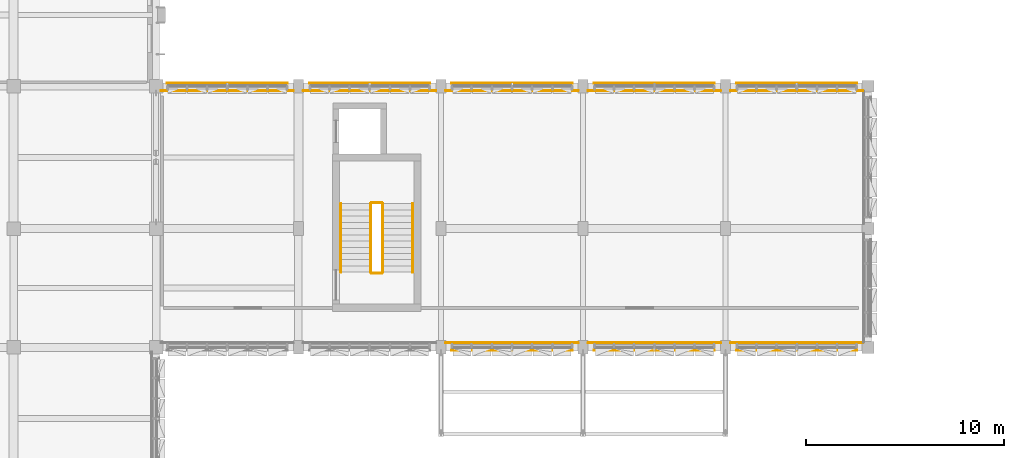
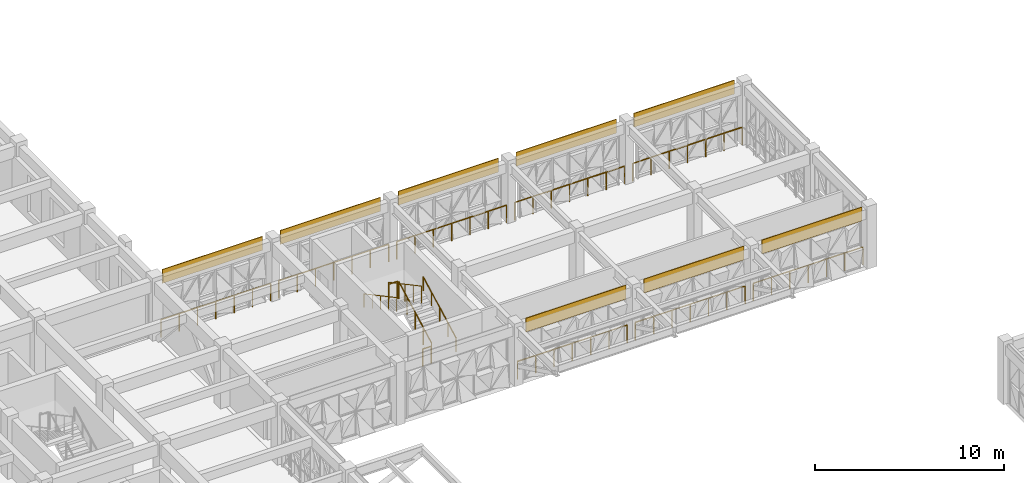
# One storey, part 73 of 88: 14 railings, 8 coverings.
"""IFC4 building model written with IfcOpenShell, lengths in metres."""

from ifc_helpers import new_model, si_unit, direction, frame, origin, origin_2d, place, context, subcontext, project, spatial, polyline, circle, outline, extrude, material, layer, layer_set, type_object, element, save


model = new_model("IFC4")

# Units and contexts
model_context = context("Model", 3, precision=1e-05, world=origin(), true_north=direction((0.0, 1.0)))
body_context = subcontext(model_context, "Body", "Model", "MODEL_VIEW")
ifc_project = project(units=[si_unit("LENGTHUNIT", "METRE"), si_unit("AREAUNIT", "SQUARE_METRE"), si_unit("VOLUMEUNIT", "CUBIC_METRE"), si_unit("PLANEANGLEUNIT", "RADIAN"), si_unit("MASSUNIT", "GRAM", prefix="KILO")], contexts=[model_context])

# Site, building, storey
site_placement = place(None, origin())
site = spatial("IfcSite", under=ifc_project, at=site_placement, CompositionType="ELEMENT")
building_placement = place(site_placement, origin())
building = spatial("IfcBuilding", under=site, at=building_placement, Name="Alvorim Cloister Faculty of Sciences", CompositionType="ELEMENT")
storey_placement = place(building_placement, frame((0.0, 0.0, 4.5)))
storey = spatial("IfcBuildingStorey", under=building, at=storey_placement, Name="L01", CompositionType="ELEMENT", Elevation=4.5)

# Coverings
ifc_material_1 = material(Name="Anodised Aluminium Alloy 6063-T6", Category="aluminium")
ifc_layer = layer(ifc_material_1, 0.031982421875)
ifc_layer_set = layer_set([ifc_layer], Name="Anodised Aluminium Alloy 6063-T6")
covering_type = type_object("IfcCoveringType", Name="COV-FAC-CAS", PredefinedType="CLADDING", material=ifc_layer_set)
for number, where, z_axis, x_axis, name in (
    (1, (29.340087890625, 56.550048828125, 3.14990234375), (0.0, 0.0, 1.0), (1.0, 0.0, 0.0), "L01 Shifted Bar Slab-Edge Architectural Fascia"),
    (2, (36.5400390625, 56.550048828125, 3.14990234375), (0.0, 0.0, 1.0), (1.0, 0.0, 0.0), "L01 Shifted Bar Slab-Edge Architectural Fascia"),
    (3, (43.739990234375, 56.550048828125, 3.14990234375), (0.0, 0.0, 1.0), (1.0, 0.0, 0.0), "L01 Shifted Bar Slab-Edge Architectural Fascia"),
    (4, (50.93994140625, 56.550048828125, 3.14990234375), (0.0, 0.0, 1.0), (1.0, 0.0, 0.0), "L01 Shifted Bar Slab-Edge Architectural Fascia"),
    (5, (58.139892578125, 56.550048828125, 3.14990234375), (0.0, 0.0, 1.0), (1.0, 0.0, 0.0), "L01 Shifted Bar Slab-Edge Architectural Fascia"),
    (6, (58.139892578125, 43.050048828125, 3.14990234375), (0.0, 0.0, 1.0), (1.0, 0.0, 0.0), "L01 Shifted Bar Slab-Edge Architectural Fascia"),
    (7, (50.93994140625, 43.050048828125, 3.14990234375), (0.0, 0.0, 1.0), (1.0, 0.0, 0.0), "L01 Shifted Bar Slab-Edge Architectural Fascia"),
    (8, (43.739990234375, 43.050048828125, 3.14990234375), (0.0, 0.0, 1.0), (1.0, 0.0, 0.0), "L01 Shifted Bar Slab-Edge Architectural Fascia"),
):
    element("IfcCovering", number, at=place(storey_placement, frame(where, z_axis=z_axis, x_axis=x_axis)), inside=storey, type_object=covering_type, Name=name, PredefinedType="CLADDING", context=body_context, shape_type="SweptSolid", body=[
        extrude(outline(polyline([(0.0, 0.0), (6.1201171875, 0.0), (6.1201171875, 0.89013671875), (0.0, 0.89013671875), (0.0, 0.0)])), frame((0.0, 0.0224609375, 0.0), z_axis=(0.0, -1.0, 0.0), x_axis=(1.0, 0.0, 0.0)), (0.0, 0.0, 1.0), 0.044921875),
    ])

# Railings
ifc_material_2 = material(Name="Laminated Safety Glass and Bronze", Category="glass")
railing_type_1 = type_object("IfcRailingType", Name="RL-ATR-BAL-1150", PredefinedType="BALUSTRADE", material=ifc_material_2)
for number, where, name in (
    (9, (29.050048828125, 56.179931640625, 0.0), "L01 Curtain Wall Sill Guard BL-06"),
    (10, (36.25, 56.179931640625, 0.0), "L01 Curtain Wall Sill Guard BL-07"),
    (11, (43.449951171875, 56.179931640625, 0.0), "L01 Curtain Wall Sill Guard BL-08"),
):
    element("IfcRailing", number, at=place(storey_placement, frame(where)), inside=storey, type_object=railing_type_1, Name=name, PredefinedType="BALUSTRADE", context=body_context, shape_type="SweptSolid", body=[
        extrude(circle(Radius=0.02392578125, at=origin_2d()), frame((0.0, 0.0, 1.1259765625), z_axis=(1.0, 0.0, 0.0), x_axis=(0.0, 1.0, 0.0)), (0.0, 0.0, 1.0), 6.699951171875),
        extrude(circle(Radius=0.02099609375, at=origin_2d()), origin(), (0.0, 0.0, 1.0), 1.101806640625),
        extrude(circle(Radius=0.02099609375, at=origin_2d()), frame((1.11669921875, 0.0, 0.0)), (0.0, 0.0, 1.0), 1.101806640625),
        extrude(circle(Radius=0.02099609375, at=origin_2d()), frame((2.2333984375, 0.0, 0.0)), (0.0, 0.0, 1.0), 1.101806640625),
        extrude(circle(Radius=0.02099609375, at=origin_2d()), frame((3.35009765625, 0.0, 0.0)), (0.0, 0.0, 1.0), 1.101806640625),
        extrude(circle(Radius=0.02099609375, at=origin_2d()), frame((4.466552734375, 0.0, 0.0)), (0.0, 0.0, 1.0), 1.101806640625),
        extrude(circle(Radius=0.02099609375, at=origin_2d()), frame((5.583251953125, 0.0, 0.0)), (0.0, 0.0, 1.0), 1.101806640625),
        extrude(circle(Radius=0.02099609375, at=origin_2d()), frame((6.699951171875, 0.0, 0.0)), (0.0, 0.0, 1.0), 1.101806640625),
    ])
railing_1_placement = place(storey_placement, frame((50.64990234375, 56.179931640625, 0.0)))
element("IfcRailing", 12, at=railing_1_placement, inside=storey, type_object=railing_type_1, Name="L01 Curtain Wall Sill Guard BL-09", PredefinedType="BALUSTRADE", context=body_context, shape_type="SweptSolid", body=[
    extrude(circle(Radius=0.02392578125, at=origin_2d()), frame((0.0, 0.0, 1.1259765625), z_axis=(1.0, 0.0, 0.0), x_axis=(0.0, 1.0, 0.0)), (0.0, 0.0, 1.0), 6.7001953125),
    extrude(circle(Radius=0.02099609375, at=origin_2d()), origin(), (0.0, 0.0, 1.0), 1.101806640625),
    extrude(circle(Radius=0.02099609375, at=origin_2d()), frame((1.11669921875, 0.0, 0.0)), (0.0, 0.0, 1.0), 1.101806640625),
    extrude(circle(Radius=0.02099609375, at=origin_2d()), frame((2.2333984375, 0.0, 0.0)), (0.0, 0.0, 1.0), 1.101806640625),
    extrude(circle(Radius=0.02099609375, at=origin_2d()), frame((3.35009765625, 0.0, 0.0)), (0.0, 0.0, 1.0), 1.101806640625),
    extrude(circle(Radius=0.02099609375, at=origin_2d()), frame((4.466796875, 0.0, 0.0)), (0.0, 0.0, 1.0), 1.101806640625),
    extrude(circle(Radius=0.02099609375, at=origin_2d()), frame((5.58349609375, 0.0, 0.0)), (0.0, 0.0, 1.0), 1.101806640625),
    extrude(circle(Radius=0.02099609375, at=origin_2d()), frame((6.7001953125, 0.0, 0.0)), (0.0, 0.0, 1.0), 1.101806640625),
])
for number, where, name in (
    (13, (57.85009765625, 56.179931640625, 0.0), "L01 Curtain Wall Sill Guard BL-10"),
    (14, (57.85009765625, 43.419921875, 0.0), "L01 Curtain Wall Sill Guard BL-13"),
):
    element("IfcRailing", number, at=place(storey_placement, frame(where)), inside=storey, type_object=railing_type_1, Name=name, PredefinedType="BALUSTRADE", context=body_context, shape_type="SweptSolid", body=[
        extrude(circle(Radius=0.02392578125, at=origin_2d()), frame((0.0, 0.0, 1.1259765625), z_axis=(1.0, 0.0, 0.0), x_axis=(0.0, 1.0, 0.0)), (0.0, 0.0, 1.0), 6.699951171875),
        extrude(circle(Radius=0.02099609375, at=origin_2d()), origin(), (0.0, 0.0, 1.0), 1.101806640625),
        extrude(circle(Radius=0.02099609375, at=origin_2d()), frame((1.11669921875, 0.0, 0.0)), (0.0, 0.0, 1.0), 1.101806640625),
        extrude(circle(Radius=0.02099609375, at=origin_2d()), frame((2.2333984375, 0.0, 0.0)), (0.0, 0.0, 1.0), 1.101806640625),
        extrude(circle(Radius=0.02099609375, at=origin_2d()), frame((3.35009765625, 0.0, 0.0)), (0.0, 0.0, 1.0), 1.101806640625),
        extrude(circle(Radius=0.02099609375, at=origin_2d()), frame((4.466552734375, 0.0, 0.0)), (0.0, 0.0, 1.0), 1.101806640625),
        extrude(circle(Radius=0.02099609375, at=origin_2d()), frame((5.583251953125, 0.0, 0.0)), (0.0, 0.0, 1.0), 1.101806640625),
        extrude(circle(Radius=0.02099609375, at=origin_2d()), frame((6.699951171875, 0.0, 0.0)), (0.0, 0.0, 1.0), 1.101806640625),
    ])
railing_2_placement = place(storey_placement, frame((50.64990234375, 43.419921875, 0.0)))
element("IfcRailing", 15, at=railing_2_placement, inside=storey, type_object=railing_type_1, Name="L01 Curtain Wall Sill Guard BL-14", PredefinedType="BALUSTRADE", context=body_context, shape_type="SweptSolid", body=[
    extrude(circle(Radius=0.02392578125, at=origin_2d()), frame((0.0, 0.0, 1.1259765625), z_axis=(1.0, 0.0, 0.0), x_axis=(0.0, 1.0, 0.0)), (0.0, 0.0, 1.0), 6.7001953125),
    extrude(circle(Radius=0.02099609375, at=origin_2d()), origin(), (0.0, 0.0, 1.0), 1.101806640625),
    extrude(circle(Radius=0.02099609375, at=origin_2d()), frame((1.11669921875, 0.0, 0.0)), (0.0, 0.0, 1.0), 1.101806640625),
    extrude(circle(Radius=0.02099609375, at=origin_2d()), frame((2.2333984375, 0.0, 0.0)), (0.0, 0.0, 1.0), 1.101806640625),
    extrude(circle(Radius=0.02099609375, at=origin_2d()), frame((3.35009765625, 0.0, 0.0)), (0.0, 0.0, 1.0), 1.101806640625),
    extrude(circle(Radius=0.02099609375, at=origin_2d()), frame((4.466796875, 0.0, 0.0)), (0.0, 0.0, 1.0), 1.101806640625),
    extrude(circle(Radius=0.02099609375, at=origin_2d()), frame((5.58349609375, 0.0, 0.0)), (0.0, 0.0, 1.0), 1.101806640625),
    extrude(circle(Radius=0.02099609375, at=origin_2d()), frame((6.7001953125, 0.0, 0.0)), (0.0, 0.0, 1.0), 1.101806640625),
])
railing_3_placement = place(storey_placement, frame((43.449951171875, 43.419921875, 0.0)))
element("IfcRailing", 16, at=railing_3_placement, inside=storey, type_object=railing_type_1, Name="L01 Curtain Wall Sill Guard BL-15", PredefinedType="BALUSTRADE", context=body_context, shape_type="SweptSolid", body=[
    extrude(circle(Radius=0.02392578125, at=origin_2d()), frame((0.0, 0.0, 1.1259765625), z_axis=(1.0, 0.0, 0.0), x_axis=(0.0, 1.0, 0.0)), (0.0, 0.0, 1.0), 6.699951171875),
    extrude(circle(Radius=0.02099609375, at=origin_2d()), origin(), (0.0, 0.0, 1.0), 1.101806640625),
    extrude(circle(Radius=0.02099609375, at=origin_2d()), frame((1.11669921875, 0.0, 0.0)), (0.0, 0.0, 1.0), 1.101806640625),
    extrude(circle(Radius=0.02099609375, at=origin_2d()), frame((2.2333984375, 0.0, 0.0)), (0.0, 0.0, 1.0), 1.101806640625),
    extrude(circle(Radius=0.02099609375, at=origin_2d()), frame((3.35009765625, 0.0, 0.0)), (0.0, 0.0, 1.0), 1.101806640625),
    extrude(circle(Radius=0.02099609375, at=origin_2d()), frame((4.466552734375, 0.0, 0.0)), (0.0, 0.0, 1.0), 1.101806640625),
    extrude(circle(Radius=0.02099609375, at=origin_2d()), frame((5.583251953125, 0.0, 0.0)), (0.0, 0.0, 1.0), 1.101806640625),
    extrude(circle(Radius=0.02099609375, at=origin_2d()), frame((6.699951171875, 0.0, 0.0)), (0.0, 0.0, 1.0), 1.101806640625),
])
ifc_material_3 = material(Name="Galvanised Painted Steel", Category="steel")
railing_type_2 = type_object("IfcRailingType", Name="RL-STR-GUARD", PredefinedType="GUARDRAIL", material=ifc_material_3)
railing_4_placement = place(storey_placement, frame((40.27001953125, 47.0, 0.168701171875)))
element("IfcRailing", 17, at=railing_4_placement, inside=storey, type_object=railing_type_2, Name="L01 ST-04 stair guard 1", PredefinedType="GUARDRAIL", context=body_context, shape_type="SweptSolid", body=[
    extrude(circle(Radius=0.02392578125, at=origin_2d()), frame((0.0, 0.0, 1.09619140625), z_axis=(0.0, 0.881490126137, 0.472202453957), x_axis=(-1.0, 0.0, 0.0)), (0.0, 0.0, 1.0), 3.930908203125),
    extrude(circle(Radius=0.02099609375, at=origin_2d()), origin(), (0.0, 0.0, 1.0), 1.072021484375),
    extrude(circle(Radius=0.02099609375, at=origin_2d()), frame((0.0, 0.8662109375, 0.464111328125)), (0.0, 0.0, 1.0), 1.072021484375),
    extrude(circle(Radius=0.02099609375, at=origin_2d()), frame((0.0, 1.732421875, 0.92822265625)), (0.0, 0.0, 1.0), 1.072021484375),
    extrude(circle(Radius=0.02099609375, at=origin_2d()), frame((0.0, 2.598876953125, 1.39208984375)), (0.0, 0.0, 1.0), 1.072021484375),
    extrude(circle(Radius=0.02099609375, at=origin_2d()), frame((0.0, 3.465087890625, 1.856201171875)), (0.0, 0.0, 1.0), 1.072021484375),
])
railing_5_placement = place(storey_placement, frame((40.219970703125, 50.514892578125, 2.02490234375)))
element("IfcRailing", 18, at=railing_5_placement, inside=storey, type_object=railing_type_2, Name="L01 ST-04 stair guard 2", PredefinedType="GUARDRAIL", context=body_context, shape_type="SweptSolid", body=[
    extrude(circle(Radius=0.02392578125, at=origin_2d()), frame((0.0, 0.0, 1.09619140625), z_axis=(-1.0, 0.0, 0.0), x_axis=(0.0, -1.0, 0.0)), (0.0, 0.0, 1.0), 0.52001953125),
    extrude(circle(Radius=0.02099609375, at=origin_2d()), origin(), (0.0, 0.0, 1.0), 1.072021484375),
    extrude(circle(Radius=0.02099609375, at=origin_2d()), frame((-0.52001953125, 0.0, 0.0)), (0.0, 0.0, 1.0), 1.072021484375),
])
railing_6_placement = place(storey_placement, frame((39.64990234375, 50.465087890625, 2.19384765625)))
element("IfcRailing", 19, at=railing_6_placement, inside=storey, type_object=railing_type_2, Name="L01 ST-04 stair guard 3", PredefinedType="GUARDRAIL", context=body_context, shape_type="SweptSolid", body=[
    extrude(circle(Radius=0.02392578125, at=origin_2d()), frame((0.0, 0.0, 1.09619140625), z_axis=(0.0, -0.881490126137, 0.472202453957), x_axis=(1.0, 0.0, 0.0)), (0.0, 0.0, 1.0), 3.930908203125),
    extrude(circle(Radius=0.02099609375, at=origin_2d()), origin(), (0.0, 0.0, 1.0), 1.072021484375),
    extrude(circle(Radius=0.02099609375, at=origin_2d()), frame((0.0, -0.8662109375, 0.464111328125)), (0.0, 0.0, 1.0), 1.072021484375),
    extrude(circle(Radius=0.02099609375, at=origin_2d()), frame((0.0, -1.732421875, 0.92822265625)), (0.0, 0.0, 1.0), 1.072021484375),
    extrude(circle(Radius=0.02099609375, at=origin_2d()), frame((0.0, -2.598876953125, 1.39208984375)), (0.0, 0.0, 1.0), 1.072021484375),
    extrude(circle(Radius=0.02099609375, at=origin_2d()), frame((0.0, -3.465087890625, 1.856201171875)), (0.0, 0.0, 1.0), 1.072021484375),
])
railing_7_placement = place(storey_placement, frame((40.219970703125, 46.949951171875, 0.0)))
element("IfcRailing", 20, at=railing_7_placement, inside=storey, type_object=railing_type_2, Name="L01 ST-04 stair guard 4", PredefinedType="GUARDRAIL", context=body_context, shape_type="SweptSolid", body=[
    extrude(circle(Radius=0.02392578125, at=origin_2d()), frame((0.0, 0.0, 1.09619140625), z_axis=(-1.0, 0.0, 0.0), x_axis=(0.0, -1.0, 0.0)), (0.0, 0.0, 1.0), 0.52001953125),
    extrude(circle(Radius=0.02099609375, at=origin_2d()), origin(), (0.0, 0.0, 1.0), 1.072021484375),
    extrude(circle(Radius=0.02099609375, at=origin_2d()), frame((-0.52001953125, 0.0, 0.0)), (0.0, 0.0, 1.0), 1.072021484375),
])
ifc_material_4 = material(Name="Brushed Stainless Steel", Category="steel")
railing_type_3 = type_object("IfcRailingType", Name="RL-STR-HAND", PredefinedType="HANDRAIL", material=ifc_material_4)
railing_8_placement = place(storey_placement, frame((41.77001953125, 47.0, 0.168701171875)))
element("IfcRailing", 21, at=railing_8_placement, inside=storey, type_object=railing_type_3, Name="L01 ST-04 stair handrail 1", PredefinedType="HANDRAIL", context=body_context, shape_type="SweptSolid", body=[
    extrude(circle(Radius=0.02392578125, at=origin_2d()), frame((0.0, 0.0, 0.8759765625), z_axis=(0.0, 0.881490126137, 0.472202453957), x_axis=(-1.0, 0.0, 0.0)), (0.0, 0.0, 1.0), 3.930908203125),
    extrude(circle(Radius=0.02099609375, at=origin_2d()), origin(), (0.0, 0.0, 1.0), 0.851806640625),
    extrude(circle(Radius=0.02099609375, at=origin_2d()), frame((0.0, 0.8662109375, 0.464111328125)), (0.0, 0.0, 1.0), 0.851806640625),
    extrude(circle(Radius=0.02099609375, at=origin_2d()), frame((0.0, 1.732421875, 0.92822265625)), (0.0, 0.0, 1.0), 0.851806640625),
    extrude(circle(Radius=0.02099609375, at=origin_2d()), frame((0.0, 2.598876953125, 1.39208984375)), (0.0, 0.0, 1.0), 0.851806640625),
    extrude(circle(Radius=0.02099609375, at=origin_2d()), frame((0.0, 3.465087890625, 1.856201171875)), (0.0, 0.0, 1.0), 0.851806640625),
])
railing_9_placement = place(storey_placement, frame((38.14990234375, 50.465087890625, 2.19384765625)))
element("IfcRailing", 22, at=railing_9_placement, inside=storey, type_object=railing_type_3, Name="L01 ST-04 stair handrail 2", PredefinedType="HANDRAIL", context=body_context, shape_type="SweptSolid", body=[
    extrude(circle(Radius=0.02392578125, at=origin_2d()), frame((0.0, 0.0, 0.8759765625), z_axis=(0.0, -0.881490126137, 0.472202453957), x_axis=(1.0, 0.0, 0.0)), (0.0, 0.0, 1.0), 3.930908203125),
    extrude(circle(Radius=0.02099609375, at=origin_2d()), origin(), (0.0, 0.0, 1.0), 0.851806640625),
    extrude(circle(Radius=0.02099609375, at=origin_2d()), frame((0.0, -0.8662109375, 0.464111328125)), (0.0, 0.0, 1.0), 0.851806640625),
    extrude(circle(Radius=0.02099609375, at=origin_2d()), frame((0.0, -1.732421875, 0.92822265625)), (0.0, 0.0, 1.0), 0.851806640625),
    extrude(circle(Radius=0.02099609375, at=origin_2d()), frame((0.0, -2.598876953125, 1.39208984375)), (0.0, 0.0, 1.0), 0.851806640625),
    extrude(circle(Radius=0.02099609375, at=origin_2d()), frame((0.0, -3.465087890625, 1.856201171875)), (0.0, 0.0, 1.0), 0.851806640625),
])

save(model, "model.ifc")
